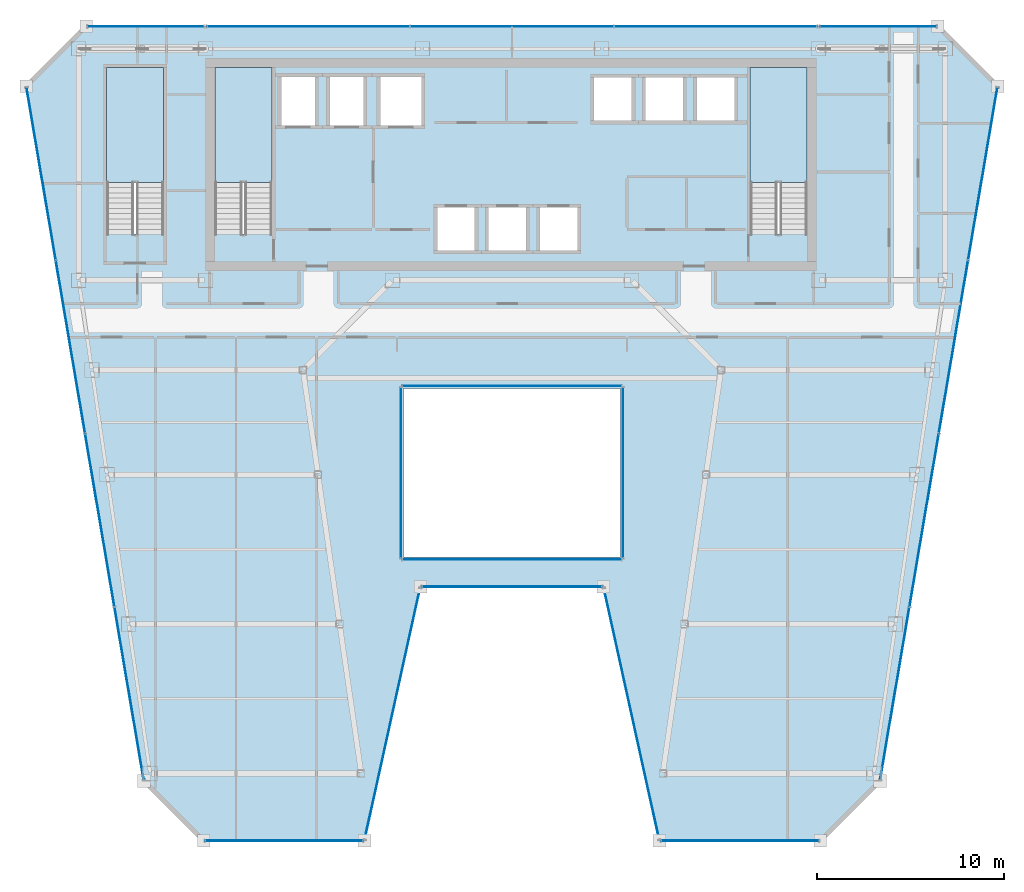
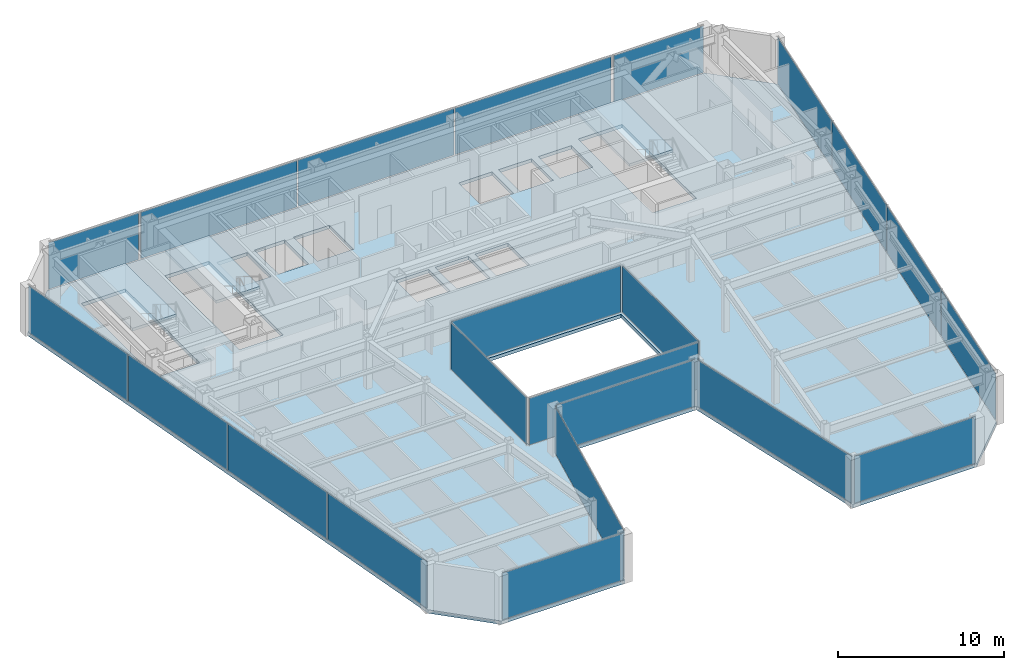
# One storey, part 28 of 36: 22 plates, 4 slabs, 17 elements without a shape of their own.
"""IFC4 building model written with IfcOpenShell, lengths in metres."""

from ifc_helpers import new_model, si_unit, direction, frame, origin, origin_2d, place, context, subcontext, project, spatial, polyline, rectangle, outline, extrude, material, layer, layer_set, type_object, element, aggregate, save


model = new_model("IFC4")

# Units and contexts
model_context = context("Model", 3, precision=1e-05, world=origin(), true_north=direction((0.0, 1.0)))
body_context = subcontext(model_context, "Body", "Model", "MODEL_VIEW")
ifc_project = project(units=[si_unit("LENGTHUNIT", "METRE"), si_unit("AREAUNIT", "SQUARE_METRE"), si_unit("VOLUMEUNIT", "CUBIC_METRE"), si_unit("PLANEANGLEUNIT", "RADIAN"), si_unit("MASSUNIT", "GRAM", prefix="KILO")], contexts=[model_context])

# Site, building, storey
site_placement = place(None, origin())
site = spatial("IfcSite", under=ifc_project, at=site_placement, CompositionType="ELEMENT")
building_placement = place(site_placement, origin())
building = spatial("IfcBuilding", under=site, at=building_placement, Name="Saevonmaru Cultural Tower", CompositionType="ELEMENT")
storey_placement = place(building_placement, frame((0.0, 0.0, 198.0)))
storey = spatial("IfcBuildingStorey", under=building, at=storey_placement, Name="L45", CompositionType="ELEMENT", Elevation=198.0)

# Curtain wall, plate
ifc_material_1 = material(Name="Satin Bronze Anodised Aluminium", Category="aluminium")
curtain_wall_type_1 = type_object("IfcCurtainWallType", Name="CW-ATR-GLZ", PredefinedType="NOTDEFINED", material=ifc_material_1)
curtain_wall_1_placement = place(storey_placement, origin())
curtain_wall_1 = element("IfcCurtainWall", 1, at=curtain_wall_1_placement, inside=storey, type_object=curtain_wall_type_1, Name="L45 Vertical Atrium Glazed Smoke Screen 1", PredefinedType="NOTDEFINED")
ifc_material_2 = material(Name="Fire-Rated Laminated Atrium Glass", Category="glass")
ifc_layer_1 = layer(ifc_material_2, 0.031982421875, Name="Fire-Rated Laminated Atrium Glass")
ifc_layer_set_1 = layer_set([ifc_layer_1], Name="Fire-Rated Laminated Atrium Glass")
plate_type_1 = type_object("IfcPlateType", Name="PN-GLZ-ATR-INT", PredefinedType="CURTAIN_PANEL", material=ifc_layer_set_1)
plate_1_placement = place(storey_placement, frame((30.0, 27.449951171875, 0.06689453125), z_axis=(0.0, 0.0, 1.0), x_axis=(1.0, 0.0, 0.0)))
plate_1 = element("IfcPlate", 2, at=plate_1_placement, type_object=plate_type_1, Name="CW-ATR-L45-1 panel 1.1", PredefinedType="CURTAIN_PANEL", context=body_context, shape_type="SweptSolid", body=[
    extrude(rectangle(XDim=11.7109375, YDim=0.031982421875, at=origin_2d()), origin(), (0.0, 0.0, 1.0), 3.416015625),
])
aggregate(curtain_wall_1, [plate_1])

curtain_wall_2_placement = place(storey_placement, origin())
curtain_wall_2 = element("IfcCurtainWall", 3, at=curtain_wall_2_placement, inside=storey, type_object=curtain_wall_type_1, Name="L45 Vertical Atrium Glazed Smoke Screen 2", PredefinedType="NOTDEFINED")
plate_2_placement = place(storey_placement, frame((35.949951171875, 32.10009765625, 0.06689453125), z_axis=(0.0, 0.0, 1.0), x_axis=(0.0, 1.0, 0.0)))
plate_2 = element("IfcPlate", 4, at=plate_2_placement, type_object=plate_type_1, Name="CW-ATR-L45-2 panel 1.1", PredefinedType="CURTAIN_PANEL", context=body_context, shape_type="SweptSolid", body=[
    extrude(rectangle(XDim=9.111083984375, YDim=0.031982421875, at=origin_2d()), origin(), (0.0, 0.0, 1.0), 3.416015625),
])
aggregate(curtain_wall_2, [plate_2])

curtain_wall_3_placement = place(storey_placement, origin())
curtain_wall_3 = element("IfcCurtainWall", 5, at=curtain_wall_3_placement, inside=storey, type_object=curtain_wall_type_1, Name="L45 Vertical Atrium Glazed Smoke Screen 3", PredefinedType="NOTDEFINED")
plate_3_placement = place(storey_placement, frame((30.0, 36.75, 0.06689453125), z_axis=(0.0, 0.0, 1.0), x_axis=(-1.0, 0.0, 0.0)))
plate_3 = element("IfcPlate", 6, at=plate_3_placement, type_object=plate_type_1, Name="CW-ATR-L45-3 panel 1.1", PredefinedType="CURTAIN_PANEL", context=body_context, shape_type="SweptSolid", body=[
    extrude(rectangle(XDim=11.7109375, YDim=0.031982421875, at=origin_2d()), origin(), (0.0, 0.0, 1.0), 3.416015625),
])
aggregate(curtain_wall_3, [plate_3])

curtain_wall_4_placement = place(storey_placement, origin())
curtain_wall_4 = element("IfcCurtainWall", 7, at=curtain_wall_4_placement, inside=storey, type_object=curtain_wall_type_1, Name="L45 Vertical Atrium Glazed Smoke Screen 4", PredefinedType="NOTDEFINED")
plate_4_placement = place(storey_placement, frame((24.050048828125, 32.10009765625, 0.06689453125), z_axis=(0.0, 0.0, 1.0), x_axis=(0.0, -1.0, 0.0)))
plate_4 = element("IfcPlate", 8, at=plate_4_placement, type_object=plate_type_1, Name="CW-ATR-L45-4 panel 1.1", PredefinedType="CURTAIN_PANEL", context=body_context, shape_type="SweptSolid", body=[
    extrude(rectangle(XDim=9.111083984375, YDim=0.031982421875, at=origin_2d()), origin(), (0.0, 0.0, 1.0), 3.416015625),
])
aggregate(curtain_wall_4, [plate_4])

curtain_wall_type_2 = type_object("IfcCurtainWallType", Name="CW-TYP-B", PredefinedType="NOTDEFINED", material=ifc_material_1)
curtain_wall_5_placement = place(storey_placement, origin())
curtain_wall_5 = element("IfcCurtainWall", 9, at=curtain_wall_5_placement, inside=storey, type_object=curtain_wall_type_2, Name="L45 Unitised Curtain Wall E2", PredefinedType="NOTDEFINED")
ifc_material_3 = material(Name="Triple Silver Low-E Insulating Glass", Category="glass")
ifc_layer_2 = layer(ifc_material_3, 0.035888671875, Name="Triple Silver Low-E Insulating Glass")
ifc_layer_set_2 = layer_set([ifc_layer_2], Name="Triple Silver Low-E Insulating Glass")
plate_type_2 = type_object("IfcPlateType", Name="PN-GLZ-IGU", PredefinedType="CURTAIN_PANEL", material=ifc_layer_set_2)
plate_5_placement = place(storey_placement, frame((17.7978515625, 12.39990234375, 0.06689453125), z_axis=(0.0, 0.0, 1.0), x_axis=(1.0, 0.0, 0.0)))
plate_5 = element("IfcPlate", 10, at=plate_5_placement, type_object=plate_type_2, Name="CW-TW-L45-E2 panel 1.1", PredefinedType="CURTAIN_PANEL", context=body_context, shape_type="SweptSolid", body=[
    extrude(rectangle(XDim=8.410888671875, YDim=0.035888671875, at=origin_2d()), origin(), (0.0, 0.0, 1.0), 3.416015625),
])
aggregate(curtain_wall_5, [plate_5])

curtain_wall_6_placement = place(storey_placement, origin())
curtain_wall_6 = element("IfcCurtainWall", 11, at=curtain_wall_6_placement, inside=storey, type_object=curtain_wall_type_2, Name="L45 Unitised Curtain Wall E3", PredefinedType="NOTDEFINED")
plate_6_placement = place(storey_placement, frame((23.597900390625, 19.199951171875, 0.06689453125), z_axis=(0.0, 0.0, 1.0), x_axis=(0.215413319953, 0.976522965212, 0.0)))
plate_6 = element("IfcPlate", 12, at=plate_6_placement, type_object=plate_type_2, Name="CW-TW-L45-E3 panel 1.1", PredefinedType="CURTAIN_PANEL", context=body_context, shape_type="SweptSolid", body=[
    extrude(rectangle(XDim=13.738037109375, YDim=0.035888671875, at=origin_2d()), origin(), (0.0, 0.0, 1.0), 3.416015625),
])
aggregate(curtain_wall_6, [plate_6])

curtain_wall_7_placement = place(storey_placement, origin())
curtain_wall_7 = element("IfcCurtainWall", 13, at=curtain_wall_7_placement, inside=storey, type_object=curtain_wall_type_2, Name="L45 Unitised Curtain Wall E4", PredefinedType="NOTDEFINED")
plate_7_placement = place(storey_placement, frame((30.0, 26.0, 0.06689453125), z_axis=(0.0, 0.0, 1.0), x_axis=(1.0, 0.0, 0.0)))
plate_7 = element("IfcPlate", 14, at=plate_7_placement, type_object=plate_type_2, Name="CW-TW-L45-E4 panel 1.1", PredefinedType="CURTAIN_PANEL", context=body_context, shape_type="SweptSolid", body=[
    extrude(rectangle(XDim=9.615478515625, YDim=0.035888671875, at=origin_2d()), origin(), (0.0, 0.0, 1.0), 3.416015625),
])
aggregate(curtain_wall_7, [plate_7])

curtain_wall_8_placement = place(storey_placement, origin())
curtain_wall_8 = element("IfcCurtainWall", 15, at=curtain_wall_8_placement, inside=storey, type_object=curtain_wall_type_2, Name="L45 Unitised Curtain Wall E5", PredefinedType="NOTDEFINED")
plate_8_placement = place(storey_placement, frame((36.402099609375, 19.199951171875, 0.06689453125), z_axis=(0.0, 0.0, 1.0), x_axis=(0.215413319953, -0.976522965212, 0.0)))
plate_8 = element("IfcPlate", 16, at=plate_8_placement, type_object=plate_type_2, Name="CW-TW-L45-E5 panel 1.1", PredefinedType="CURTAIN_PANEL", context=body_context, shape_type="SweptSolid", body=[
    extrude(rectangle(XDim=13.738037109375, YDim=0.035888671875, at=origin_2d()), origin(), (0.0, 0.0, 1.0), 3.416015625),
])
aggregate(curtain_wall_8, [plate_8])

curtain_wall_9_placement = place(storey_placement, origin())
curtain_wall_9 = element("IfcCurtainWall", 17, at=curtain_wall_9_placement, inside=storey, type_object=curtain_wall_type_2, Name="L45 Unitised Curtain Wall E6", PredefinedType="NOTDEFINED")
plate_9_placement = place(storey_placement, frame((42.2021484375, 12.39990234375, 0.06689453125), z_axis=(0.0, 0.0, 1.0), x_axis=(1.0, 0.0, 0.0)))
plate_9 = element("IfcPlate", 18, at=plate_9_placement, type_object=plate_type_2, Name="CW-TW-L45-E6 panel 1.1", PredefinedType="CURTAIN_PANEL", context=body_context, shape_type="SweptSolid", body=[
    extrude(rectangle(XDim=8.410888671875, YDim=0.035888671875, at=origin_2d()), origin(), (0.0, 0.0, 1.0), 3.416015625),
])
aggregate(curtain_wall_9, [plate_9])

# Curtain wall, plates
curtain_wall_10_placement = place(storey_placement, origin())
curtain_wall_10 = element("IfcCurtainWall", 19, at=curtain_wall_10_placement, inside=storey, type_object=curtain_wall_type_2, Name="L45 Unitised Curtain Wall E8", PredefinedType="NOTDEFINED")
plate_10_placement = place(storey_placement, frame((50.496826171875, 20.29443359375, 0.06689453125), z_axis=(0.0, 0.0, 1.0), x_axis=(0.16692169721, 0.985970155228, 0.0)))
plate_10 = element("IfcPlate", 20, at=plate_10_placement, type_object=plate_type_2, Name="CW-TW-L45-E8 panel 1.1", PredefinedType="CURTAIN_PANEL", context=body_context, shape_type="SweptSolid", body=[
    extrude(rectangle(XDim=9.333251953125, YDim=0.035888671875, at=origin_2d()), origin(), (0.0, 0.0, 1.0), 3.416015625),
])
plate_11_placement = place(storey_placement, frame((52.06640625, 29.564697265625, 0.06689453125), z_axis=(0.0, 0.0, 1.0), x_axis=(0.16692169721, 0.985970155228, 0.0)))
plate_11 = element("IfcPlate", 21, at=plate_11_placement, type_object=plate_type_2, Name="CW-TW-L45-E8 panel 2.1", PredefinedType="CURTAIN_PANEL", context=body_context, shape_type="SweptSolid", body=[
    extrude(rectangle(XDim=9.333251953125, YDim=0.035888671875, at=origin_2d()), origin(), (0.0, 0.0, 1.0), 3.416015625),
])
plate_12_placement = place(storey_placement, frame((53.6357421875, 38.835205078125, 0.06689453125), z_axis=(0.0, 0.0, 1.0), x_axis=(0.16692169721, 0.985970155228, 0.0)))
plate_12 = element("IfcPlate", 22, at=plate_12_placement, type_object=plate_type_2, Name="CW-TW-L45-E8 panel 3.1", PredefinedType="CURTAIN_PANEL", context=body_context, shape_type="SweptSolid", body=[
    extrude(rectangle(XDim=9.333251953125, YDim=0.035888671875, at=origin_2d()), origin(), (0.0, 0.0, 1.0), 3.416015625),
])
plate_13_placement = place(storey_placement, frame((55.205322265625, 48.105712890625, 0.06689453125), z_axis=(0.0, 0.0, 1.0), x_axis=(0.16692169721, 0.985970155228, 0.0)))
plate_13 = element("IfcPlate", 23, at=plate_13_placement, type_object=plate_type_2, Name="CW-TW-L45-E8 panel 4.1", PredefinedType="CURTAIN_PANEL", context=body_context, shape_type="SweptSolid", body=[
    extrude(rectangle(XDim=9.333251953125, YDim=0.035888671875, at=origin_2d()), origin(), (0.0, 0.0, 1.0), 3.416015625),
])
aggregate(curtain_wall_10, [plate_10, plate_11, plate_12, plate_13])

curtain_wall_11_placement = place(storey_placement, origin())
curtain_wall_11 = element("IfcCurtainWall", 24, at=curtain_wall_11_placement, inside=storey, type_object=curtain_wall_type_2, Name="L45 North Spine Unitised Curtain Wall E10B", PredefinedType="NOTDEFINED")
plate_14_placement = place(storey_placement, frame((40.893310546875, 56.0, 0.06689453125), z_axis=(0.0, 0.0, 1.0), x_axis=(-1.0, 0.0, 0.0)))
plate_14 = element("IfcPlate", 25, at=plate_14_placement, type_object=plate_type_2, Name="CW-TW-L45-E10B panel 1.1", PredefinedType="CURTAIN_PANEL", context=body_context, shape_type="SweptSolid", body=[
    extrude(rectangle(XDim=10.82421875, YDim=0.035888671875, at=origin_2d()), origin(), (0.0, 0.0, 1.0), 3.416015625),
])
plate_15_placement = place(storey_placement, frame((30.0, 56.0, 0.06689453125), z_axis=(0.0, 0.0, 1.0), x_axis=(-1.0, 0.0, 0.0)))
plate_15 = element("IfcPlate", 26, at=plate_15_placement, type_object=plate_type_2, Name="CW-TW-L45-E10B panel 2.1", PredefinedType="CURTAIN_PANEL", context=body_context, shape_type="SweptSolid", body=[
    extrude(rectangle(XDim=10.82421875, YDim=0.035888671875, at=origin_2d()), origin(), (0.0, 0.0, 1.0), 3.416015625),
])
plate_16_placement = place(storey_placement, frame((19.106689453125, 56.0, 0.06689453125), z_axis=(0.0, 0.0, 1.0), x_axis=(-1.0, 0.0, 0.0)))
plate_16 = element("IfcPlate", 27, at=plate_16_placement, type_object=plate_type_2, Name="CW-TW-L45-E10B panel 3.1", PredefinedType="CURTAIN_PANEL", context=body_context, shape_type="SweptSolid", body=[
    extrude(rectangle(XDim=10.82421875, YDim=0.035888671875, at=origin_2d()), origin(), (0.0, 0.0, 1.0), 3.416015625),
])
aggregate(curtain_wall_11, [plate_14, plate_15, plate_16])

curtain_wall_12_placement = place(storey_placement, origin())
curtain_wall_12 = element("IfcCurtainWall", 28, at=curtain_wall_12_placement, inside=storey, type_object=curtain_wall_type_2, Name="L45 Unitised Curtain Wall E12", PredefinedType="NOTDEFINED")
plate_17_placement = place(storey_placement, frame((4.794677734375, 48.105712890625, 0.06689453125), z_axis=(0.0, 0.0, 1.0), x_axis=(0.16692169721, -0.985970155228, 0.0)))
plate_17 = element("IfcPlate", 29, at=plate_17_placement, type_object=plate_type_2, Name="CW-TW-L45-E12 panel 1.1", PredefinedType="CURTAIN_PANEL", context=body_context, shape_type="SweptSolid", body=[
    extrude(rectangle(XDim=9.333251953125, YDim=0.035888671875, at=origin_2d()), origin(), (0.0, 0.0, 1.0), 3.416015625),
])
plate_18_placement = place(storey_placement, frame((6.3642578125, 38.835205078125, 0.06689453125), z_axis=(0.0, 0.0, 1.0), x_axis=(0.16692169721, -0.985970155228, 0.0)))
plate_18 = element("IfcPlate", 30, at=plate_18_placement, type_object=plate_type_2, Name="CW-TW-L45-E12 panel 2.1", PredefinedType="CURTAIN_PANEL", context=body_context, shape_type="SweptSolid", body=[
    extrude(rectangle(XDim=9.333251953125, YDim=0.035888671875, at=origin_2d()), origin(), (0.0, 0.0, 1.0), 3.416015625),
])
plate_19_placement = place(storey_placement, frame((7.93359375, 29.564697265625, 0.06689453125), z_axis=(0.0, 0.0, 1.0), x_axis=(0.16692169721, -0.985970155228, 0.0)))
plate_19 = element("IfcPlate", 31, at=plate_19_placement, type_object=plate_type_2, Name="CW-TW-L45-E12 panel 3.1", PredefinedType="CURTAIN_PANEL", context=body_context, shape_type="SweptSolid", body=[
    extrude(rectangle(XDim=9.333251953125, YDim=0.035888671875, at=origin_2d()), origin(), (0.0, 0.0, 1.0), 3.416015625),
])
plate_20_placement = place(storey_placement, frame((9.503173828125, 20.29443359375, 0.06689453125), z_axis=(0.0, 0.0, 1.0), x_axis=(0.16692169721, -0.985970155228, 0.0)))
plate_20 = element("IfcPlate", 32, at=plate_20_placement, type_object=plate_type_2, Name="CW-TW-L45-E12 panel 4.1", PredefinedType="CURTAIN_PANEL", context=body_context, shape_type="SweptSolid", body=[
    extrude(rectangle(XDim=9.333251953125, YDim=0.035888671875, at=origin_2d()), origin(), (0.0, 0.0, 1.0), 3.416015625),
])
aggregate(curtain_wall_12, [plate_17, plate_18, plate_19, plate_20])

# Curtain wall, plate
curtain_wall_13_placement = place(storey_placement, origin())
curtain_wall_13 = element("IfcCurtainWall", 33, at=curtain_wall_13_placement, inside=storey, type_object=curtain_wall_type_2, Name="L45 East Braced Bay Spandrel Curtain Wall E10A", PredefinedType="NOTDEFINED")
ifc_material_4 = material(Name="Insulated Satin Bronze Aluminium Spandrel Panel", Category="aluminium")
ifc_layer_3 = layer(ifc_material_4, 0.0400390625, Name="Insulated Satin Bronze Aluminium Spandrel Panel")
ifc_layer_set_3 = layer_set([ifc_layer_3], Name="Insulated Satin Bronze Aluminium Spandrel Panel")
plate_type_3 = type_object("IfcPlateType", Name="PN-SPANDREL-BRONZE", PredefinedType="CURTAIN_PANEL", material=ifc_layer_set_3)
plate_21_placement = place(storey_placement, frame((49.60009765625, 56.0, 0.06689453125), z_axis=(0.0, 0.0, 1.0), x_axis=(-1.0, 0.0, 0.0)))
plate_21 = element("IfcPlate", 34, at=plate_21_placement, type_object=plate_type_3, Name="CW-TW-L45-E10A panel 1.1", PredefinedType="CURTAIN_PANEL", context=body_context, shape_type="SweptSolid", body=[
    extrude(rectangle(XDim=6.2109375, YDim=0.035888671875, at=origin_2d()), origin(), (0.0, 0.0, 1.0), 3.416015625),
])
aggregate(curtain_wall_13, [plate_21])

curtain_wall_14_placement = place(storey_placement, origin())
curtain_wall_14 = element("IfcCurtainWall", 35, at=curtain_wall_14_placement, inside=storey, type_object=curtain_wall_type_2, Name="L45 West Braced Bay Spandrel Curtain Wall E10C", PredefinedType="NOTDEFINED")
plate_22_placement = place(storey_placement, frame((10.39990234375, 56.0, 0.06689453125), z_axis=(0.0, 0.0, 1.0), x_axis=(-1.0, 0.0, 0.0)))
plate_22 = element("IfcPlate", 36, at=plate_22_placement, type_object=plate_type_3, Name="CW-TW-L45-E10C panel 1.1", PredefinedType="CURTAIN_PANEL", context=body_context, shape_type="SweptSolid", body=[
    extrude(rectangle(XDim=6.2109375, YDim=0.035888671875, at=origin_2d()), origin(), (0.0, 0.0, 1.0), 3.416015625),
])
aggregate(curtain_wall_14, [plate_22])

# Slab
ifc_material_5 = material(Name="Concrete C40/50", Category="concrete")
ifc_layer_4 = layer(ifc_material_5, 0.25, Name="Concrete C40/50")
ifc_layer_set_4 = layer_set([ifc_layer_4], Name="Concrete C40/50")
slab_type_1 = type_object("IfcSlabType", Name="SL-FLR-250", PredefinedType="FLOOR", material=ifc_layer_set_4)
slab_1_placement = place(storey_placement, frame((0.0, 0.0, -0.25)))
element("IfcSlab", 37, at=slab_1_placement, inside=storey, type_object=slab_type_1, Name="L45 Tower Structural Floor Slab", PredefinedType="FLOOR", context=body_context, shape_type="SweptSolid", body=[
    extrude(outline(polyline([(10.2978515625, 15.60009765625), (13.497802734375, 12.39990234375), (22.097900390625, 12.39990234375), (25.097900390625, 26.0), (34.902099609375, 26.0), (37.902099609375, 12.39990234375), (46.502197265625, 12.39990234375), (49.7021484375, 15.60009765625), (56.0, 52.800048828125), (52.800048828125, 56.0), (7.199951171875, 56.0), (4.0, 52.800048828125), (10.2978515625, 15.60009765625)]), holes=[polyline([(45.800048828125, 44.875), (42.75, 44.875), (42.75, 53.800048828125), (45.800048828125, 53.800048828125), (45.800048828125, 44.875)]), polyline([(39.75, 50.800048828125), (39.75, 53.39990234375), (42.050048828125, 53.39990234375), (42.050048828125, 50.800048828125), (39.75, 50.800048828125)]), polyline([(37.0, 50.800048828125), (37.0, 53.39990234375), (39.300048828125, 53.39990234375), (39.300048828125, 50.800048828125), (37.0, 50.800048828125)]), polyline([(34.25, 50.800048828125), (34.25, 53.39990234375), (36.550048828125, 53.39990234375), (36.550048828125, 50.800048828125), (34.25, 50.800048828125)]), polyline([(24.199951171875, 27.60009765625), (24.199951171875, 36.60009765625), (35.800048828125, 36.60009765625), (35.800048828125, 27.60009765625), (24.199951171875, 27.60009765625)]), polyline([(31.35009765625, 43.85009765625), (31.35009765625, 46.449951171875), (33.64990234375, 46.449951171875), (33.64990234375, 43.85009765625), (31.35009765625, 43.85009765625)]), polyline([(28.60009765625, 43.85009765625), (28.60009765625, 46.449951171875), (30.89990234375, 46.449951171875), (30.89990234375, 43.85009765625), (28.60009765625, 43.85009765625)]), polyline([(28.14990234375, 43.85009765625), (25.85009765625, 43.85009765625), (25.85009765625, 46.449951171875), (28.14990234375, 46.449951171875), (28.14990234375, 43.85009765625)]), polyline([(25.300048828125, 50.550048828125), (22.800048828125, 50.550048828125), (22.800048828125, 53.449951171875), (25.300048828125, 53.449951171875), (25.300048828125, 50.550048828125)]), polyline([(20.10009765625, 50.550048828125), (20.10009765625, 53.449951171875), (22.199951171875, 53.449951171875), (22.199951171875, 50.550048828125), (20.10009765625, 50.550048828125)]), polyline([(17.5, 50.550048828125), (17.5, 53.449951171875), (19.60009765625, 53.449951171875), (19.60009765625, 50.550048828125), (17.5, 50.550048828125)]), polyline([(17.14990234375, 53.800048828125), (17.14990234375, 44.875), (14.10009765625, 44.875), (14.10009765625, 53.800048828125), (17.14990234375, 53.800048828125)]), polyline([(11.35009765625, 44.875), (8.300048828125, 44.875), (8.300048828125, 53.800048828125), (11.35009765625, 53.800048828125), (11.35009765625, 44.875)])]), origin(), (0.0, 0.0, 1.0), 0.25),
])

# Stair, slab
stair_type = type_object("IfcStairType", Name="STR-DOGLEG-RC", PredefinedType="HALF_TURN_STAIR", material=ifc_material_5)
stair_1_placement = place(storey_placement, origin())
stair_1 = element("IfcStair", 38, at=stair_1_placement, inside=storey, type_object=stair_type, Name="L45 Protected exit stair ST-1", PredefinedType="HALF_TURN_STAIR")
ifc_layer_5 = layer(ifc_material_5, 0.199951171875, Name="Concrete C40/50")
ifc_layer_set_5 = layer_set([ifc_layer_5], Name="Concrete C40/50")
slab_type_2 = type_object("IfcSlabType", Name="SL-STAIR-LANDING", PredefinedType="LANDING", material=ifc_layer_set_5)
slab_2_placement = place(storey_placement, frame((0.0, 0.0, 1.699951171875)))
slab_2 = element("IfcSlab", 39, at=slab_2_placement, type_object=slab_type_2, Name="ST-1-L45 landing 1", PredefinedType="LANDING", context=body_context, shape_type="SweptSolid", body=[
    extrude(outline(polyline([(17.14990234375, 47.64990234375), (17.14990234375, 53.800048828125), (14.10009765625, 53.800048828125), (14.10009765625, 47.64990234375), (17.14990234375, 47.64990234375)])), origin(), (0.0, 0.0, 1.0), 0.199951171875),
])
aggregate(stair_1, [slab_2])

stair_2_placement = place(storey_placement, origin())
stair_2 = element("IfcStair", 40, at=stair_2_placement, inside=storey, type_object=stair_type, Name="L45 Protected exit stair ST-2", PredefinedType="HALF_TURN_STAIR")
slab_3_placement = place(storey_placement, frame((0.0, 0.0, 1.699951171875)))
slab_3 = element("IfcSlab", 41, at=slab_3_placement, type_object=slab_type_2, Name="ST-2-L45 landing 1", PredefinedType="LANDING", context=body_context, shape_type="SweptSolid", body=[
    extrude(outline(polyline([(45.800048828125, 47.64990234375), (45.800048828125, 53.800048828125), (42.75, 53.800048828125), (42.75, 47.64990234375), (45.800048828125, 47.64990234375)])), origin(), (0.0, 0.0, 1.0), 0.199951171875),
])
aggregate(stair_2, [slab_3])

stair_3_placement = place(storey_placement, origin())
stair_3 = element("IfcStair", 42, at=stair_3_placement, inside=storey, type_object=stair_type, Name="L45 Protected exit stair ST-3", PredefinedType="HALF_TURN_STAIR")
slab_4_placement = place(storey_placement, frame((0.0, 0.0, 1.699951171875)))
slab_4 = element("IfcSlab", 43, at=slab_4_placement, type_object=slab_type_2, Name="ST-3-L45 landing 1", PredefinedType="LANDING", context=body_context, shape_type="SweptSolid", body=[
    extrude(outline(polyline([(11.35009765625, 47.64990234375), (11.35009765625, 53.800048828125), (8.300048828125, 53.800048828125), (8.300048828125, 47.64990234375), (11.35009765625, 47.64990234375)])), origin(), (0.0, 0.0, 1.0), 0.199951171875),
])
aggregate(stair_3, [slab_4])

save(model, "model.ifc")
